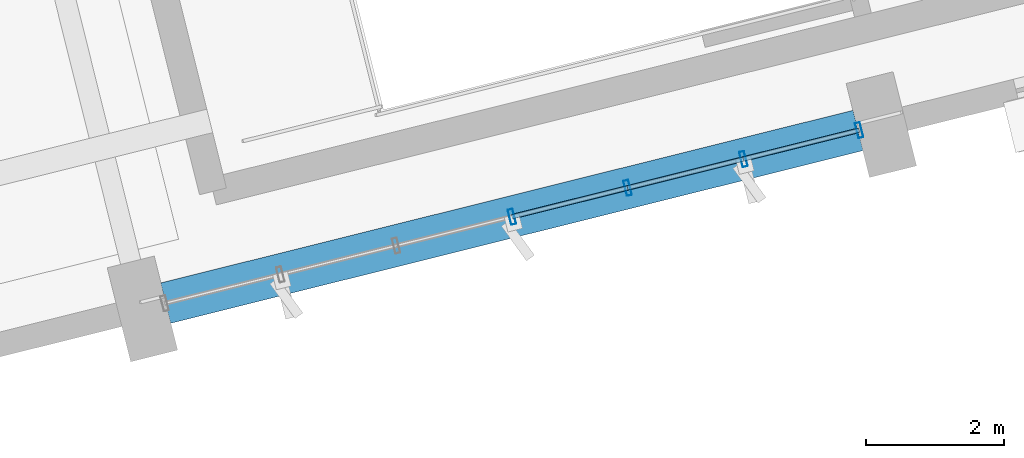
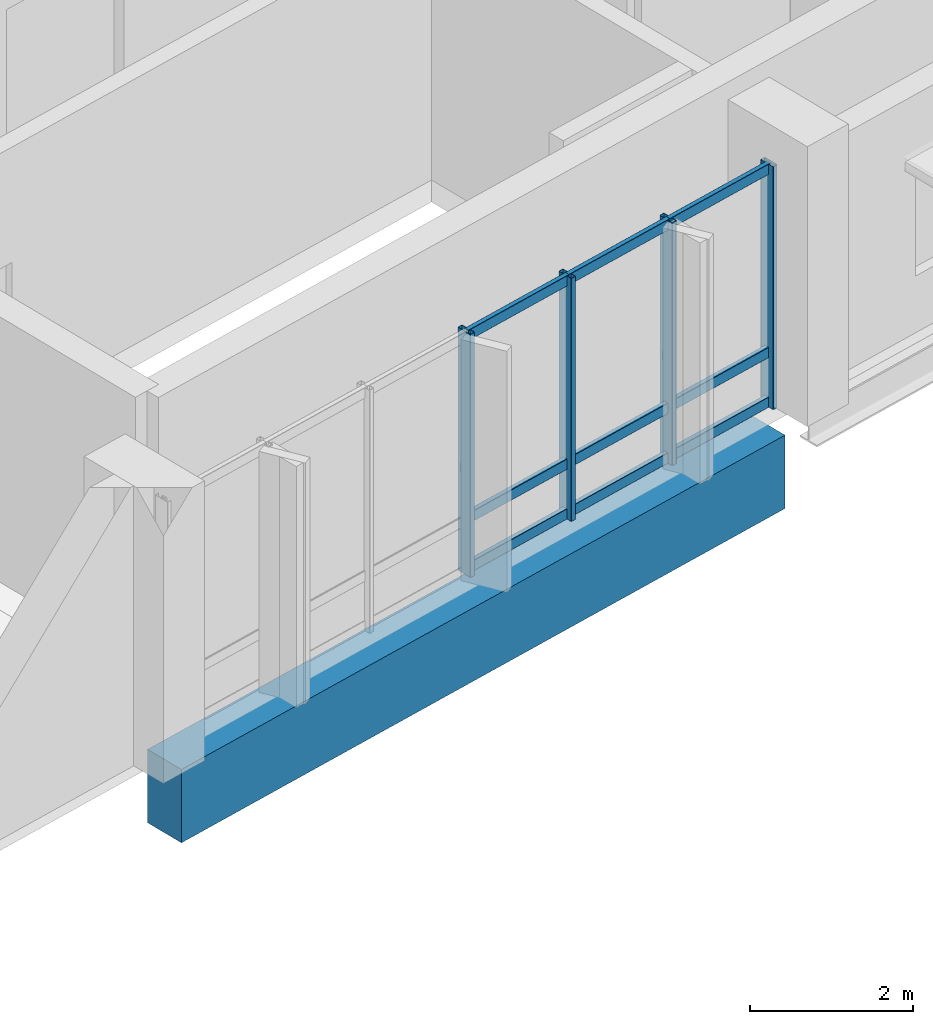
# One storey, part 8 of 22: 13 members, 1 beam, 1 element without a shape of its own.
"""IFC4 building model written with IfcOpenShell, lengths in metres."""

from ifc_helpers import new_model, si_unit, direction, frame, origin, origin_2d, place, context, subcontext, project, spatial, rectangle, hollow_rectangle, extrude, material, layer, layer_set, material_profile, profile_set, type_object, element, aggregate, save


model = new_model("IFC4")

# Units and contexts
model_context = context("Model", 3, precision=1e-05, world=origin(), true_north=direction((0.0, 1.0)))
body_context = subcontext(model_context, "Body", "Model", "MODEL_VIEW")
ifc_project = project(units=[si_unit("LENGTHUNIT", "METRE"), si_unit("AREAUNIT", "SQUARE_METRE"), si_unit("VOLUMEUNIT", "CUBIC_METRE"), si_unit("PLANEANGLEUNIT", "RADIAN"), si_unit("MASSUNIT", "GRAM", prefix="KILO")], contexts=[model_context])

# Site, building, storey
site_placement = place(None, origin())
site = spatial("IfcSite", under=ifc_project, at=site_placement, CompositionType="ELEMENT")
building_placement = place(site_placement, origin())
building = spatial("IfcBuilding", under=site, at=building_placement, Name="Khorjan Park Terminus", CompositionType="ELEMENT")
storey_placement = place(building_placement, frame((0.0, 0.0, 24.6)))
storey = spatial("IfcBuildingStorey", under=building, at=storey_placement, Name="L05", CompositionType="ELEMENT", Elevation=24.6)

# Beam
ifc_material_1 = material(Name="Concrete C40/50", Category="concrete")
ifc_material_profile_1 = material_profile(ifc_material_1, rectangle(XDim=0.6, YDim=1.1, at=origin_2d()), Name="RC 600x1100")
ifc_profile_set_1 = profile_set([ifc_material_profile_1], Name="Concrete C40/50")
beam_type = type_object("IfcBeamType", Name="BM-RC600x1100", PredefinedType="BEAM", material=ifc_profile_set_1)
beam_placement = place(storey_placement, frame((198.3545, 10.0669, -0.88), z_axis=(0.970296351811, 0.241919386702, 0.0), x_axis=(-0.241919386702, 0.970296351811, 0.0)))
element("IfcBeam", 1, at=beam_placement, inside=storey, type_object=beam_type, Name="Primary skew-grid floor girder GB-11 (L05)", PredefinedType="BEAM", context=body_context, shape_type="SweptSolid", body=[
    extrude(rectangle(XDim=0.6, YDim=1.1, at=origin_2d()), origin(), (0.0, 0.0, 1.0), 10.31),
])

# Curtain wall, members
ifc_material_2 = material(Name="Anodized Bronze Aluminium", Category="aluminium")
ifc_layer = layer(ifc_material_2, 0.22)
ifc_layer_set = layer_set([ifc_layer], Name="Anodized Bronze Aluminium")
curtain_wall_type = type_object("IfcCurtainWallType", Name="CW-OPS-B", PredefinedType="NOTDEFINED", material=ifc_layer_set)
curtain_wall_placement = place(storey_placement, origin())
curtain_wall = element("IfcCurtainWall", 2, at=curtain_wall_placement, inside=storey, type_object=curtain_wall_type, Name="Unitized curtain wall CW-B (CW-V5-S-L05-B03)", PredefinedType="NOTDEFINED")
ifc_material_profile_2 = material_profile(ifc_material_2, hollow_rectangle(XDim=0.075, YDim=0.225, WallThickness=0.005, InnerFilletRadius=0.005, OuterFilletRadius=0.01, at=origin_2d()), Name="ALM 75x225x5")
ifc_profile_set_2 = profile_set([ifc_material_profile_2], Name="Anodized Bronze Aluminium")
member_type_1 = type_object("IfcMemberType", Name="ML-ALM-225", PredefinedType="MULLION", material=ifc_profile_set_2)
member_1_placement = place(storey_placement, frame((203.3565, 11.314, -0.035), z_axis=(0.0, 0.0, 1.0), x_axis=(0.970294772494, 0.241925720978, 0.0)))
member_1 = element("IfcMember", 3, at=member_1_placement, type_object=member_type_1, Name="Curtain-wall mullion ML-22 (CW-V5-S-L05-B03-3)", PredefinedType="MULLION", context=body_context, shape_type="SweptSolid", body=[
    extrude(hollow_rectangle(XDim=0.075, YDim=0.225, WallThickness=0.005, InnerFilletRadius=0.005, OuterFilletRadius=0.01, at=origin_2d()), origin(), (0.0, 0.0, 1.0), 3.645),
])
member_2_placement = place(storey_placement, frame((205.0286, 11.731, -0.035), z_axis=(0.0, 0.0, 1.0), x_axis=(0.970294772494, 0.241925720978, 0.0)))
member_2 = element("IfcMember", 4, at=member_2_placement, type_object=member_type_1, Name="Curtain-wall mullion ML-22 (CW-V5-S-L05-B03-4)", PredefinedType="MULLION", context=body_context, shape_type="SweptSolid", body=[
    extrude(hollow_rectangle(XDim=0.075, YDim=0.225, WallThickness=0.005, InnerFilletRadius=0.005, OuterFilletRadius=0.01, at=origin_2d()), origin(), (0.0, 0.0, 1.0), 3.645),
])
member_3_placement = place(storey_placement, frame((206.7008, 12.1479, -0.035), z_axis=(0.0, 0.0, 1.0), x_axis=(0.970294772494, 0.241925720978, 0.0)))
member_3 = element("IfcMember", 5, at=member_3_placement, type_object=member_type_1, Name="Curtain-wall mullion ML-22 (CW-V5-S-L05-B03-5)", PredefinedType="MULLION", context=body_context, shape_type="SweptSolid", body=[
    extrude(hollow_rectangle(XDim=0.075, YDim=0.225, WallThickness=0.005, InnerFilletRadius=0.005, OuterFilletRadius=0.01, at=origin_2d()), origin(), (0.0, 0.0, 1.0), 3.645),
])
member_4_placement = place(storey_placement, frame((208.3729, 12.5648, -0.035), z_axis=(0.0, 0.0, 1.0), x_axis=(0.970294772494, 0.241925720978, 0.0)))
member_4 = element("IfcMember", 6, at=member_4_placement, type_object=member_type_1, Name="Curtain-wall mullion ML-22 (CW-V5-S-L05-B03-6)", PredefinedType="MULLION", context=body_context, shape_type="SweptSolid", body=[
    extrude(hollow_rectangle(XDim=0.075, YDim=0.225, WallThickness=0.005, InnerFilletRadius=0.005, OuterFilletRadius=0.01, at=origin_2d()), origin(), (0.0, 0.0, 1.0), 3.645),
])
ifc_material_profile_3 = material_profile(ifc_material_2, hollow_rectangle(XDim=0.07, YDim=0.16, WallThickness=0.004, InnerFilletRadius=0.004, OuterFilletRadius=0.008, at=origin_2d()), Name="ALT 70x160x4")
ifc_profile_set_3 = profile_set([ifc_material_profile_3], Name="Anodized Bronze Aluminium")
member_type_2 = type_object("IfcMemberType", Name="TR-ALT-160", PredefinedType="USERDEFINED", material=ifc_profile_set_3)
member_5_placement = place(storey_placement, frame((203.3565, 11.314, 0.04), z_axis=(0.970282287956, 0.24197578738, 0.0), x_axis=(-0.24197578738, 0.970282287956, 0.0)))
member_5 = element("IfcMember", 7, at=member_5_placement, type_object=member_type_2, Name="Curtain-wall transom TR-16 (CW-V5-S-L05-B03-3-1)", ObjectType="TRANSOM", PredefinedType="USERDEFINED", context=body_context, shape_type="SweptSolid", body=[
    extrude(hollow_rectangle(XDim=0.07, YDim=0.16, WallThickness=0.004, InnerFilletRadius=0.004, OuterFilletRadius=0.008, at=origin_2d()), origin(), (0.0, 0.0, 1.0), 1.7233),
])
member_6_placement = place(storey_placement, frame((203.3565, 11.314, 0.786), z_axis=(0.970282287956, 0.24197578738, 0.0), x_axis=(-0.24197578738, 0.970282287956, 0.0)))
member_6 = element("IfcMember", 8, at=member_6_placement, type_object=member_type_2, Name="Curtain-wall transom TR-16 (CW-V5-S-L05-B03-3-2)", ObjectType="TRANSOM", PredefinedType="USERDEFINED", context=body_context, shape_type="SweptSolid", body=[
    extrude(hollow_rectangle(XDim=0.07, YDim=0.16, WallThickness=0.004, InnerFilletRadius=0.004, OuterFilletRadius=0.008, at=origin_2d()), origin(), (0.0, 0.0, 1.0), 1.7233),
])
member_7_placement = place(storey_placement, frame((203.3565, 11.314, 3.535), z_axis=(0.970282287956, 0.24197578738, 0.0), x_axis=(-0.24197578738, 0.970282287956, 0.0)))
member_7 = element("IfcMember", 9, at=member_7_placement, type_object=member_type_2, Name="Curtain-wall transom TR-16 (CW-V5-S-L05-B03-3-3)", ObjectType="TRANSOM", PredefinedType="USERDEFINED", context=body_context, shape_type="SweptSolid", body=[
    extrude(hollow_rectangle(XDim=0.07, YDim=0.16, WallThickness=0.004, InnerFilletRadius=0.004, OuterFilletRadius=0.008, at=origin_2d()), origin(), (0.0, 0.0, 1.0), 1.7233),
])
member_8_placement = place(storey_placement, frame((205.0286, 11.731, 0.04), z_axis=(0.970299306534, 0.241907535518, 0.0), x_axis=(-0.241907535518, 0.970299306534, 0.0)))
member_8 = element("IfcMember", 10, at=member_8_placement, type_object=member_type_2, Name="Curtain-wall transom TR-16 (CW-V5-S-L05-B03-4-1)", ObjectType="TRANSOM", PredefinedType="USERDEFINED", context=body_context, shape_type="SweptSolid", body=[
    extrude(hollow_rectangle(XDim=0.07, YDim=0.16, WallThickness=0.004, InnerFilletRadius=0.004, OuterFilletRadius=0.008, at=origin_2d()), origin(), (0.0, 0.0, 1.0), 1.7234),
])
member_9_placement = place(storey_placement, frame((205.0286, 11.731, 0.786), z_axis=(0.970299306534, 0.241907535518, 0.0), x_axis=(-0.241907535518, 0.970299306534, 0.0)))
member_9 = element("IfcMember", 11, at=member_9_placement, type_object=member_type_2, Name="Curtain-wall transom TR-16 (CW-V5-S-L05-B03-4-2)", ObjectType="TRANSOM", PredefinedType="USERDEFINED", context=body_context, shape_type="SweptSolid", body=[
    extrude(hollow_rectangle(XDim=0.07, YDim=0.16, WallThickness=0.004, InnerFilletRadius=0.004, OuterFilletRadius=0.008, at=origin_2d()), origin(), (0.0, 0.0, 1.0), 1.7234),
])
member_10_placement = place(storey_placement, frame((205.0286, 11.731, 3.535), z_axis=(0.970299306534, 0.241907535518, 0.0), x_axis=(-0.241907535518, 0.970299306534, 0.0)))
member_10 = element("IfcMember", 12, at=member_10_placement, type_object=member_type_2, Name="Curtain-wall transom TR-16 (CW-V5-S-L05-B03-4-3)", ObjectType="TRANSOM", PredefinedType="USERDEFINED", context=body_context, shape_type="SweptSolid", body=[
    extrude(hollow_rectangle(XDim=0.07, YDim=0.16, WallThickness=0.004, InnerFilletRadius=0.004, OuterFilletRadius=0.008, at=origin_2d()), origin(), (0.0, 0.0, 1.0), 1.7234),
])
member_11_placement = place(storey_placement, frame((206.7008, 12.1479, 0.04), z_axis=(0.970295910649, 0.241921156121, 0.0), x_axis=(-0.241921156121, 0.970295910649, 0.0)))
member_11 = element("IfcMember", 13, at=member_11_placement, type_object=member_type_2, Name="Curtain-wall transom TR-16 (CW-V5-S-L05-B03-5-1)", ObjectType="TRANSOM", PredefinedType="USERDEFINED", context=body_context, shape_type="SweptSolid", body=[
    extrude(hollow_rectangle(XDim=0.07, YDim=0.16, WallThickness=0.004, InnerFilletRadius=0.004, OuterFilletRadius=0.008, at=origin_2d()), origin(), (0.0, 0.0, 1.0), 1.7233),
])
member_12_placement = place(storey_placement, frame((206.7008, 12.1479, 0.786), z_axis=(0.970295910649, 0.241921156121, 0.0), x_axis=(-0.241921156121, 0.970295910649, 0.0)))
member_12 = element("IfcMember", 14, at=member_12_placement, type_object=member_type_2, Name="Curtain-wall transom TR-16 (CW-V5-S-L05-B03-5-2)", ObjectType="TRANSOM", PredefinedType="USERDEFINED", context=body_context, shape_type="SweptSolid", body=[
    extrude(hollow_rectangle(XDim=0.07, YDim=0.16, WallThickness=0.004, InnerFilletRadius=0.004, OuterFilletRadius=0.008, at=origin_2d()), origin(), (0.0, 0.0, 1.0), 1.7233),
])
member_13_placement = place(storey_placement, frame((206.7008, 12.1479, 3.535), z_axis=(0.970295910649, 0.241921156121, 0.0), x_axis=(-0.241921156121, 0.970295910649, 0.0)))
member_13 = element("IfcMember", 15, at=member_13_placement, type_object=member_type_2, Name="Curtain-wall transom TR-16 (CW-V5-S-L05-B03-5-3)", ObjectType="TRANSOM", PredefinedType="USERDEFINED", context=body_context, shape_type="SweptSolid", body=[
    extrude(hollow_rectangle(XDim=0.07, YDim=0.16, WallThickness=0.004, InnerFilletRadius=0.004, OuterFilletRadius=0.008, at=origin_2d()), origin(), (0.0, 0.0, 1.0), 1.7233),
])
aggregate(curtain_wall, [member_1, member_2, member_3, member_4, member_5, member_6, member_7, member_8, member_9, member_10, member_11, member_12, member_13])

save(model, "model.ifc")
